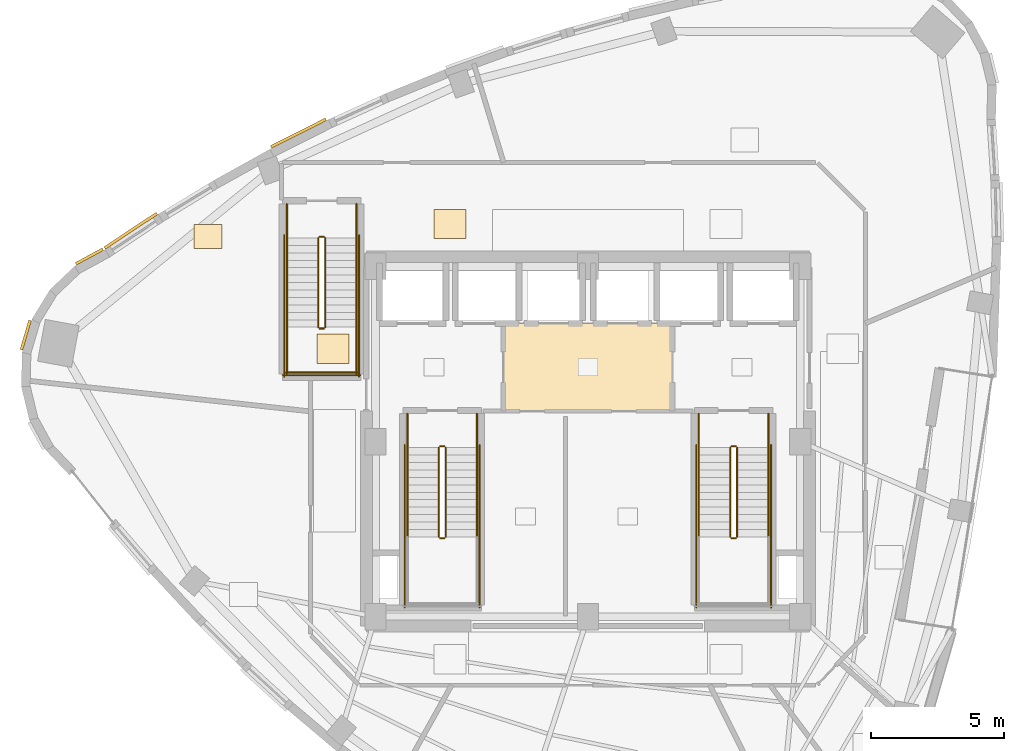
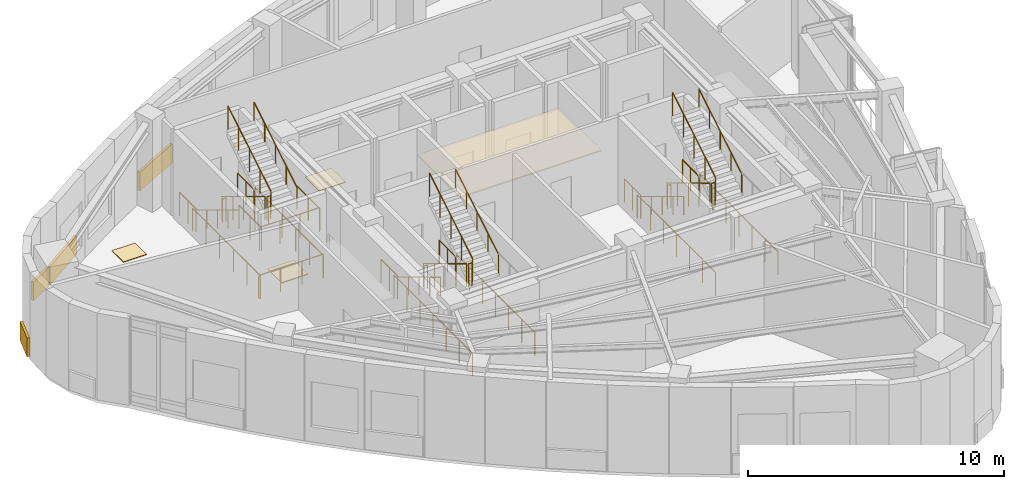
# One storey, part 13 of 14: 34 railings, 8 coverings.
"""IFC4 building model written with IfcOpenShell, lengths in metres."""

from ifc_helpers import new_model, si_unit, direction, frame, origin, origin_2d, place, context, subcontext, project, spatial, rectangle, circle, extrude, material, layer, layer_set, type_object, element, save


model = new_model("IFC4")

# Units and contexts
model_context = context("Model", 3, precision=1e-05, world=origin(), true_north=direction((0.0, 1.0)))
body_context = subcontext(model_context, "Body", "Model", "MODEL_VIEW")
ifc_project = project(units=[si_unit("LENGTHUNIT", "METRE"), si_unit("AREAUNIT", "SQUARE_METRE"), si_unit("VOLUMEUNIT", "CUBIC_METRE"), si_unit("PLANEANGLEUNIT", "RADIAN"), si_unit("MASSUNIT", "GRAM", prefix="KILO")], contexts=[model_context])

# Site, building, storey
site_placement = place(None, origin())
site = spatial("IfcSite", under=ifc_project, at=site_placement, CompositionType="ELEMENT")
building_placement = place(site_placement, origin())
building = spatial("IfcBuilding", under=site, at=building_placement, Name="Ndelora Gate Hotel", CompositionType="ELEMENT")
storey_placement = place(building_placement, frame((0.0, 0.0, 277.199951171875)))
storey = spatial("IfcBuildingStorey", under=building, at=storey_placement, Name="L69", CompositionType="ELEMENT", Elevation=277.199951171875)

# Coverings
ifc_material_1 = material(Name="Perforated Acoustic Gypsum Board", Category="gypsum")
ifc_layer_1 = layer(ifc_material_1, 0.054931640625)
ifc_layer_set_1 = layer_set([ifc_layer_1], Name="Perforated Acoustic Gypsum Board")
covering_type_1 = type_object("IfcCoveringType", Name="COV-CEIL-AC60", PredefinedType="CEILING", material=ifc_layer_set_1)
covering_1_placement = place(storey_placement, frame((0.0, 2.800048828125, 2.72265625), z_axis=(0.0, 0.0, 1.0), x_axis=(1.0, 0.0, 0.0)))
element("IfcCovering", 1, at=covering_1_placement, inside=storey, type_object=covering_type_1, Name="L69 Lift Lobby Acoustic Ceiling", PredefinedType="CEILING", context=body_context, shape_type="SweptSolid", body=[
    extrude(rectangle(XDim=6.39990234375, YDim=3.340087890625, at=origin_2d()), origin(), (0.0, 0.0, 1.0), 0.054931640625),
])
ifc_material_2 = material(Name="Terracotta Fired Clay Brick Slip Cladding", Category="masonry")
ifc_layer_2 = layer(ifc_material_2, 0.110107421875)
ifc_layer_set_2 = layer_set([ifc_layer_2], Name="Terracotta Fired Clay Brick Slip Cladding")
covering_type_2 = type_object("IfcCoveringType", Name="COV-CLAD-BRK", PredefinedType="CLADDING", material=ifc_layer_set_2)
for number, where, z_axis, x_axis, name in (
    (2, (-18.7822265625, 6.972900390625, 0.10009765625), (0.0, 0.0, 1.0), (0.878817112662, 0.47715876026, 0.0), "L69 Rounded-Corner Brick Cladding Band 1"),
    (3, (-21.1796875, 4.012451171875, 0.10009765625), (0.0, 0.0, 1.0), (0.284015344704, 0.958819734868, 0.0), "L69 Rounded-Corner Brick Cladding Band 4"),
):
    element("IfcCovering", number, at=place(storey_placement, frame(where, z_axis=z_axis, x_axis=x_axis)), inside=storey, type_object=covering_type_2, Name=name, PredefinedType="CLADDING", context=body_context, shape_type="SweptSolid", body=[
        extrude(rectangle(XDim=1.153076171875, YDim=0.110107421875, at=origin_2d()), origin(), (0.0, 0.0, 1.0), 0.89990234375),
    ])
covering_2_placement = place(storey_placement, frame((-10.9052734375, 11.62109375, 0.10009765625), z_axis=(0.0, 0.0, 1.0), x_axis=(0.892664497833, 0.450721748209, 0.0)))
element("IfcCovering", 4, at=covering_2_placement, inside=storey, type_object=covering_type_2, Name="L69 Rounded-Corner Brick Cladding Band 55", PredefinedType="CLADDING", context=body_context, shape_type="SweptSolid", body=[
    extrude(rectangle(XDim=2.31005859375, YDim=0.110107421875, at=origin_2d()), origin(), (0.0, 0.0, 1.0), 0.89990234375),
])
covering_3_placement = place(storey_placement, frame((-17.224853515625, 7.941162109375, 0.10009765625), z_axis=(0.0, 0.0, 1.0), x_axis=(0.833210881659, 0.552955356864, 0.0)))
element("IfcCovering", 5, at=covering_3_placement, inside=storey, type_object=covering_type_2, Name="L69 Rounded-Corner Brick Cladding Band 58", PredefinedType="CLADDING", context=body_context, shape_type="SweptSolid", body=[
    extrude(rectangle(XDim=2.35693359375, YDim=0.110107421875, at=origin_2d()), origin(), (0.0, 0.0, 1.0), 0.89990234375),
])
ifc_material_3 = material(Name="Engineered Highland Oak Parquet", Category="wood")
ifc_layer_3 = layer(ifc_material_3, 0.030029296875)
ifc_layer_set_3 = layer_set([ifc_layer_3], Name="Engineered Highland Oak Parquet")
covering_type_3 = type_object("IfcCoveringType", Name="COV-FLR-PARQ", PredefinedType="FLOORING", material=ifc_layer_set_3)
covering_4_placement = place(storey_placement, frame((-14.316162109375, 7.7255859375, 0.0), z_axis=(0.0, 0.0, 1.0), x_axis=(1.0, 0.0, 0.0)))
element("IfcCovering", 6, at=covering_4_placement, inside=storey, type_object=covering_type_3, Name="L69 Fine Wine Tasting Room Oak Parquet Flooring", PredefinedType="FLOORING", context=body_context, shape_type="SweptSolid", body=[
    extrude(rectangle(XDim=1.050048828125, YDim=0.89990234375, at=origin_2d()), origin(), (0.0, 0.0, 1.0), 0.030029296875),
])
ifc_material_4 = material(Name="Polished Highland Stone Terrazzo", Category="masonry")
ifc_layer_4 = layer(ifc_material_4, 0.034912109375)
ifc_layer_set_4 = layer_set([ifc_layer_4], Name="Polished Highland Stone Terrazzo")
covering_type_4 = type_object("IfcCoveringType", Name="COV-FLR-TERZ", PredefinedType="FLOORING", material=ifc_layer_set_4)
for number, where, z_axis, x_axis, name in (
    (7, (-5.199951171875, 8.199951171875, 0.0), (0.0, 0.0, 1.0), (1.0, 0.0, 0.0), "L69 Corridor Threshold Terrazzo Inlay NW"),
    (8, (-9.60009765625, 3.5, 0.0), (0.0, 0.0, 1.0), (1.0, 0.0, 0.0), "L69 Corridor Threshold Terrazzo Inlay W"),
):
    element("IfcCovering", number, at=place(storey_placement, frame(where, z_axis=z_axis, x_axis=x_axis)), inside=storey, type_object=covering_type_4, Name=name, PredefinedType="FLOORING", context=body_context, shape_type="SweptSolid", body=[
        extrude(rectangle(XDim=1.199951171875, YDim=1.10009765625, at=origin_2d()), origin(), (0.0, 0.0, 1.0), 0.034912109375),
    ])

# Railings
ifc_material_5 = material(Name="Painted Galvanized Steel Balustrade", Category="steel")
ifc_layer_5 = layer(ifc_material_5, 0.06005859375)
ifc_layer_set_5 = layer_set([ifc_layer_5], Name="Painted Galvanized Steel Balustrade")
railing_type_1 = type_object("IfcRailingType", Name="RL-STAIR-GD", PredefinedType="GUARDRAIL", material=ifc_layer_set_5)
railing_1_placement = place(storey_placement, frame((-5.6201171875, -0.22998046875, 0.169189453125)))
element("IfcRailing", 9, at=railing_1_placement, inside=storey, type_object=railing_type_1, Name="L69 ST4 stair guard 1", PredefinedType="GUARDRAIL", context=body_context, shape_type="SweptSolid", body=[
    extrude(circle(Radius=0.02392578125, at=origin_2d()), frame((0.0, 0.0, 1.10595703125), z_axis=(0.0, -0.855836976705, 0.517245656632), x_axis=(1.0, 0.0, 0.0)), (0.0, 0.0, 1.0), 3.926025390625),
    extrude(circle(Radius=0.02099609375, at=origin_2d()), origin(), (0.0, 0.0, 1.0), 1.081787109375),
    extrude(circle(Radius=0.02099609375, at=origin_2d()), frame((0.0, -0.840087890625, 0.5078125)), (0.0, 0.0, 1.0), 1.081787109375),
    extrude(circle(Radius=0.02099609375, at=origin_2d()), frame((0.0, -1.68017578125, 1.015380859375)), (0.0, 0.0, 1.0), 1.081787109375),
    extrude(circle(Radius=0.02099609375, at=origin_2d()), frame((0.0, -2.52001953125, 1.52294921875)), (0.0, 0.0, 1.0), 1.081787109375),
    extrude(circle(Radius=0.02099609375, at=origin_2d()), frame((0.0, -3.360107421875, 2.03076171875)), (0.0, 0.0, 1.0), 1.081787109375),
])
railing_2_placement = place(storey_placement, frame((-5.570068359375, -3.639892578125, 2.199951171875)))
element("IfcRailing", 10, at=railing_2_placement, inside=storey, type_object=railing_type_1, Name="L69 ST4 stair guard 2", PredefinedType="GUARDRAIL", context=body_context, shape_type="SweptSolid", body=[
    extrude(circle(Radius=0.02392578125, at=origin_2d()), frame((0.0, 0.0, 1.10595703125), z_axis=(1.0, 0.0, 0.0), x_axis=(0.0, 1.0, 0.0)), (0.0, 0.0, 1.0), 0.16015625),
    extrude(circle(Radius=0.02099609375, at=origin_2d()), origin(), (0.0, 0.0, 1.0), 1.081787109375),
    extrude(circle(Radius=0.02099609375, at=origin_2d()), frame((0.16015625, 0.0, 0.0)), (0.0, 0.0, 1.0), 1.081787109375),
])
railing_3_placement = place(storey_placement, frame((-5.360107421875, -3.590087890625, 2.369384765625)))
element("IfcRailing", 11, at=railing_3_placement, inside=storey, type_object=railing_type_1, Name="L69 ST4 stair guard 6", PredefinedType="GUARDRAIL", context=body_context, shape_type="SweptSolid", body=[
    extrude(circle(Radius=0.02392578125, at=origin_2d()), frame((0.0, 0.0, 1.10595703125), z_axis=(0.0, 0.855836976705, 0.517245656632), x_axis=(-1.0, 0.0, 0.0)), (0.0, 0.0, 1.0), 3.926025390625),
    extrude(circle(Radius=0.02099609375, at=origin_2d()), origin(), (0.0, 0.0, 1.0), 1.081787109375),
    extrude(circle(Radius=0.02099609375, at=origin_2d()), frame((0.0, 0.840087890625, 0.5078125)), (0.0, 0.0, 1.0), 1.081787109375),
    extrude(circle(Radius=0.02099609375, at=origin_2d()), frame((0.0, 1.68017578125, 1.015380859375)), (0.0, 0.0, 1.0), 1.081787109375),
    extrude(circle(Radius=0.02099609375, at=origin_2d()), frame((0.0, 2.52001953125, 1.52294921875)), (0.0, 0.0, 1.0), 1.081787109375),
    extrude(circle(Radius=0.02099609375, at=origin_2d()), frame((0.0, 3.360107421875, 2.03076171875)), (0.0, 0.0, 1.0), 1.081787109375),
])
railing_4_placement = place(storey_placement, frame((-5.570068359375, -0.179931640625, 0.0)))
element("IfcRailing", 12, at=railing_4_placement, inside=storey, type_object=railing_type_1, Name="L69 ST4 stair guard 7", PredefinedType="GUARDRAIL", context=body_context, shape_type="SweptSolid", body=[
    extrude(circle(Radius=0.02392578125, at=origin_2d()), frame((0.0, 0.0, 1.10595703125), z_axis=(1.0, 0.0, 0.0), x_axis=(0.0, 1.0, 0.0)), (0.0, 0.0, 1.0), 0.16015625),
    extrude(circle(Radius=0.02099609375, at=origin_2d()), origin(), (0.0, 0.0, 1.0), 1.081787109375),
    extrude(circle(Radius=0.02099609375, at=origin_2d()), frame((0.16015625, 0.0, 0.0)), (0.0, 0.0, 1.0), 1.081787109375),
])
for number, where, name in (
    (13, (-6.800048828125, 1.050048828125, 0.0), "L69 ST4 stair guard 8"),
    (14, (-4.179931640625, 1.050048828125, 0.0), "L69 ST4 stair guard 9"),
):
    element("IfcRailing", number, at=place(storey_placement, frame(where)), inside=storey, type_object=railing_type_1, Name=name, PredefinedType="GUARDRAIL", context=body_context, shape_type="SweptSolid", body=[
        extrude(circle(Radius=0.02392578125, at=origin_2d()), frame((0.0, 0.0, 1.10595703125), z_axis=(0.0, -1.0, 0.0), x_axis=(1.0, 0.0, 0.0)), (0.0, 0.0, 1.0), 1.280029296875),
        extrude(circle(Radius=0.02099609375, at=origin_2d()), origin(), (0.0, 0.0, 1.0), 1.081787109375),
        extrude(circle(Radius=0.02099609375, at=origin_2d()), frame((0.0, -0.64013671875, 0.0)), (0.0, 0.0, 1.0), 1.081787109375),
        extrude(circle(Radius=0.02099609375, at=origin_2d()), frame((0.0, -1.280029296875, 0.0)), (0.0, 0.0, 1.0), 1.081787109375),
    ])
for number, where, name in (
    (15, (-6.89990234375, -0.1298828125, 0.0), "L69 ST4 stair guard 10"),
    (16, (-4.080078125, -0.1298828125, 0.0), "L69 ST4 stair guard 11"),
):
    element("IfcRailing", number, at=place(storey_placement, frame(where)), inside=storey, type_object=railing_type_1, Name=name, PredefinedType="GUARDRAIL", context=body_context, shape_type="SweptSolid", body=[
        extrude(circle(Radius=0.02392578125, at=origin_2d()), frame((0.0, 0.0, 1.10595703125), z_axis=(0.0, -1.0, 0.0), x_axis=(1.0, 0.0, 0.0)), (0.0, 0.0, 1.0), 6.1201171875),
        extrude(circle(Radius=0.02099609375, at=origin_2d()), origin(), (0.0, 0.0, 1.0), 1.081787109375),
        extrude(circle(Radius=0.02099609375, at=origin_2d()), frame((0.0, -1.02001953125, 0.0)), (0.0, 0.0, 1.0), 1.081787109375),
        extrude(circle(Radius=0.02099609375, at=origin_2d()), frame((0.0, -2.0400390625, 0.0)), (0.0, 0.0, 1.0), 1.081787109375),
        extrude(circle(Radius=0.02099609375, at=origin_2d()), frame((0.0, -3.06005859375, 0.0)), (0.0, 0.0, 1.0), 1.081787109375),
        extrude(circle(Radius=0.02099609375, at=origin_2d()), frame((0.0, -4.080078125, 0.0)), (0.0, 0.0, 1.0), 1.081787109375),
        extrude(circle(Radius=0.02099609375, at=origin_2d()), frame((0.0, -5.10009765625, 0.0)), (0.0, 0.0, 1.0), 1.081787109375),
        extrude(circle(Radius=0.02099609375, at=origin_2d()), frame((0.0, -6.1201171875, 0.0)), (0.0, 0.0, 1.0), 1.081787109375),
    ])
railing_5_placement = place(storey_placement, frame((5.360107421875, -0.22998046875, 0.169189453125)))
element("IfcRailing", 17, at=railing_5_placement, inside=storey, type_object=railing_type_1, Name="L69 ST5 stair guard 1", PredefinedType="GUARDRAIL", context=body_context, shape_type="SweptSolid", body=[
    extrude(circle(Radius=0.02392578125, at=origin_2d()), frame((0.0, 0.0, 1.10595703125), z_axis=(0.0, -0.855836976705, 0.517245656632), x_axis=(1.0, 0.0, 0.0)), (0.0, 0.0, 1.0), 3.926025390625),
    extrude(circle(Radius=0.02099609375, at=origin_2d()), origin(), (0.0, 0.0, 1.0), 1.081787109375),
    extrude(circle(Radius=0.02099609375, at=origin_2d()), frame((0.0, -0.840087890625, 0.5078125)), (0.0, 0.0, 1.0), 1.081787109375),
    extrude(circle(Radius=0.02099609375, at=origin_2d()), frame((0.0, -1.68017578125, 1.015380859375)), (0.0, 0.0, 1.0), 1.081787109375),
    extrude(circle(Radius=0.02099609375, at=origin_2d()), frame((0.0, -2.52001953125, 1.52294921875)), (0.0, 0.0, 1.0), 1.081787109375),
    extrude(circle(Radius=0.02099609375, at=origin_2d()), frame((0.0, -3.360107421875, 2.03076171875)), (0.0, 0.0, 1.0), 1.081787109375),
])
railing_6_placement = place(storey_placement, frame((5.409912109375, -3.639892578125, 2.199951171875)))
element("IfcRailing", 18, at=railing_6_placement, inside=storey, type_object=railing_type_1, Name="L69 ST5 stair guard 2", PredefinedType="GUARDRAIL", context=body_context, shape_type="SweptSolid", body=[
    extrude(circle(Radius=0.02392578125, at=origin_2d()), frame((0.0, 0.0, 1.10595703125), z_axis=(1.0, 0.0, 0.0), x_axis=(0.0, 1.0, 0.0)), (0.0, 0.0, 1.0), 0.16015625),
    extrude(circle(Radius=0.02099609375, at=origin_2d()), origin(), (0.0, 0.0, 1.0), 1.081787109375),
    extrude(circle(Radius=0.02099609375, at=origin_2d()), frame((0.16015625, 0.0, 0.0)), (0.0, 0.0, 1.0), 1.081787109375),
])
railing_7_placement = place(storey_placement, frame((5.6201171875, -3.590087890625, 2.369384765625)))
element("IfcRailing", 19, at=railing_7_placement, inside=storey, type_object=railing_type_1, Name="L69 ST5 stair guard 6", PredefinedType="GUARDRAIL", context=body_context, shape_type="SweptSolid", body=[
    extrude(circle(Radius=0.02392578125, at=origin_2d()), frame((0.0, 0.0, 1.10595703125), z_axis=(0.0, 0.855836976705, 0.517245656632), x_axis=(-1.0, 0.0, 0.0)), (0.0, 0.0, 1.0), 3.926025390625),
    extrude(circle(Radius=0.02099609375, at=origin_2d()), origin(), (0.0, 0.0, 1.0), 1.081787109375),
    extrude(circle(Radius=0.02099609375, at=origin_2d()), frame((0.0, 0.840087890625, 0.5078125)), (0.0, 0.0, 1.0), 1.081787109375),
    extrude(circle(Radius=0.02099609375, at=origin_2d()), frame((0.0, 1.68017578125, 1.015380859375)), (0.0, 0.0, 1.0), 1.081787109375),
    extrude(circle(Radius=0.02099609375, at=origin_2d()), frame((0.0, 2.52001953125, 1.52294921875)), (0.0, 0.0, 1.0), 1.081787109375),
    extrude(circle(Radius=0.02099609375, at=origin_2d()), frame((0.0, 3.360107421875, 2.03076171875)), (0.0, 0.0, 1.0), 1.081787109375),
])
railing_8_placement = place(storey_placement, frame((5.409912109375, -0.179931640625, 0.0)))
element("IfcRailing", 20, at=railing_8_placement, inside=storey, type_object=railing_type_1, Name="L69 ST5 stair guard 7", PredefinedType="GUARDRAIL", context=body_context, shape_type="SweptSolid", body=[
    extrude(circle(Radius=0.02392578125, at=origin_2d()), frame((0.0, 0.0, 1.10595703125), z_axis=(1.0, 0.0, 0.0), x_axis=(0.0, 1.0, 0.0)), (0.0, 0.0, 1.0), 0.16015625),
    extrude(circle(Radius=0.02099609375, at=origin_2d()), origin(), (0.0, 0.0, 1.0), 1.081787109375),
    extrude(circle(Radius=0.02099609375, at=origin_2d()), frame((0.16015625, 0.0, 0.0)), (0.0, 0.0, 1.0), 1.081787109375),
])
for number, where, name in (
    (21, (4.179931640625, 1.050048828125, 0.0), "L69 ST5 stair guard 8"),
    (22, (6.800048828125, 1.050048828125, 0.0), "L69 ST5 stair guard 9"),
):
    element("IfcRailing", number, at=place(storey_placement, frame(where)), inside=storey, type_object=railing_type_1, Name=name, PredefinedType="GUARDRAIL", context=body_context, shape_type="SweptSolid", body=[
        extrude(circle(Radius=0.02392578125, at=origin_2d()), frame((0.0, 0.0, 1.10595703125), z_axis=(0.0, -1.0, 0.0), x_axis=(1.0, 0.0, 0.0)), (0.0, 0.0, 1.0), 1.280029296875),
        extrude(circle(Radius=0.02099609375, at=origin_2d()), origin(), (0.0, 0.0, 1.0), 1.081787109375),
        extrude(circle(Radius=0.02099609375, at=origin_2d()), frame((0.0, -0.64013671875, 0.0)), (0.0, 0.0, 1.0), 1.081787109375),
        extrude(circle(Radius=0.02099609375, at=origin_2d()), frame((0.0, -1.280029296875, 0.0)), (0.0, 0.0, 1.0), 1.081787109375),
    ])
for number, where, name in (
    (23, (4.080078125, -0.1298828125, 0.0), "L69 ST5 stair guard 10"),
    (24, (6.89990234375, -0.1298828125, 0.0), "L69 ST5 stair guard 11"),
):
    element("IfcRailing", number, at=place(storey_placement, frame(where)), inside=storey, type_object=railing_type_1, Name=name, PredefinedType="GUARDRAIL", context=body_context, shape_type="SweptSolid", body=[
        extrude(circle(Radius=0.02392578125, at=origin_2d()), frame((0.0, 0.0, 1.10595703125), z_axis=(0.0, -1.0, 0.0), x_axis=(1.0, 0.0, 0.0)), (0.0, 0.0, 1.0), 6.1201171875),
        extrude(circle(Radius=0.02099609375, at=origin_2d()), origin(), (0.0, 0.0, 1.0), 1.081787109375),
        extrude(circle(Radius=0.02099609375, at=origin_2d()), frame((0.0, -1.02001953125, 0.0)), (0.0, 0.0, 1.0), 1.081787109375),
        extrude(circle(Radius=0.02099609375, at=origin_2d()), frame((0.0, -2.0400390625, 0.0)), (0.0, 0.0, 1.0), 1.081787109375),
        extrude(circle(Radius=0.02099609375, at=origin_2d()), frame((0.0, -3.06005859375, 0.0)), (0.0, 0.0, 1.0), 1.081787109375),
        extrude(circle(Radius=0.02099609375, at=origin_2d()), frame((0.0, -4.080078125, 0.0)), (0.0, 0.0, 1.0), 1.081787109375),
        extrude(circle(Radius=0.02099609375, at=origin_2d()), frame((0.0, -5.10009765625, 0.0)), (0.0, 0.0, 1.0), 1.081787109375),
        extrude(circle(Radius=0.02099609375, at=origin_2d()), frame((0.0, -6.1201171875, 0.0)), (0.0, 0.0, 1.0), 1.081787109375),
    ])
railing_9_placement = place(storey_placement, frame((-10.159912109375, 7.669921875, 0.169189453125)))
element("IfcRailing", 25, at=railing_9_placement, inside=storey, type_object=railing_type_1, Name="L69 ST6 stair guard 1", PredefinedType="GUARDRAIL", context=body_context, shape_type="SweptSolid", body=[
    extrude(circle(Radius=0.02392578125, at=origin_2d()), frame((0.0, 0.0, 1.10595703125), z_axis=(0.0, -0.855820338506, 0.51727318527), x_axis=(1.0, 0.0, 0.0)), (0.0, 0.0, 1.0), 3.92578125),
    extrude(circle(Radius=0.02099609375, at=origin_2d()), origin(), (0.0, 0.0, 1.0), 1.081787109375),
    extrude(circle(Radius=0.02099609375, at=origin_2d()), frame((0.0, -0.83984375, 0.5078125)), (0.0, 0.0, 1.0), 1.081787109375),
    extrude(circle(Radius=0.02099609375, at=origin_2d()), frame((0.0, -1.679931640625, 1.015380859375)), (0.0, 0.0, 1.0), 1.081787109375),
    extrude(circle(Radius=0.02099609375, at=origin_2d()), frame((0.0, -2.52001953125, 1.52294921875)), (0.0, 0.0, 1.0), 1.081787109375),
    extrude(circle(Radius=0.02099609375, at=origin_2d()), frame((0.0, -3.35986328125, 2.03076171875)), (0.0, 0.0, 1.0), 1.081787109375),
])
railing_10_placement = place(storey_placement, frame((-10.110107421875, 4.260009765625, 2.199951171875)))
element("IfcRailing", 26, at=railing_10_placement, inside=storey, type_object=railing_type_1, Name="L69 ST6 stair guard 2", PredefinedType="GUARDRAIL", context=body_context, shape_type="SweptSolid", body=[
    extrude(circle(Radius=0.02392578125, at=origin_2d()), frame((0.0, 0.0, 1.10595703125), z_axis=(1.0, 0.0, 0.0), x_axis=(0.0, 1.0, 0.0)), (0.0, 0.0, 1.0), 0.16015625),
    extrude(circle(Radius=0.02099609375, at=origin_2d()), origin(), (0.0, 0.0, 1.0), 1.081787109375),
    extrude(circle(Radius=0.02099609375, at=origin_2d()), frame((0.16015625, 0.0, 0.0)), (0.0, 0.0, 1.0), 1.081787109375),
])
for number, where, name in (
    (27, (-11.340087890625, 4.31005859375, 2.199951171875), "L69 ST6 stair guard 3"),
    (28, (-8.719970703125, 4.31005859375, 2.199951171875), "L69 ST6 stair guard 4"),
):
    element("IfcRailing", number, at=place(storey_placement, frame(where)), inside=storey, type_object=railing_type_1, Name=name, PredefinedType="GUARDRAIL", context=body_context, shape_type="SweptSolid", body=[
        extrude(circle(Radius=0.02392578125, at=origin_2d()), frame((0.0, 0.0, 1.10595703125), z_axis=(0.0, -1.0, 0.0), x_axis=(1.0, 0.0, 0.0)), (0.0, 0.0, 1.0), 1.760009765625),
        extrude(circle(Radius=0.02099609375, at=origin_2d()), origin(), (0.0, 0.0, 1.0), 1.081787109375),
        extrude(circle(Radius=0.02099609375, at=origin_2d()), frame((0.0, -0.8798828125, 0.0)), (0.0, 0.0, 1.0), 1.081787109375),
        extrude(circle(Radius=0.02099609375, at=origin_2d()), frame((0.0, -1.760009765625, 0.0)), (0.0, 0.0, 1.0), 1.081787109375),
    ])
railing_11_placement = place(storey_placement, frame((-11.389892578125, 2.60009765625, 2.199951171875)))
element("IfcRailing", 29, at=railing_11_placement, inside=storey, type_object=railing_type_1, Name="L69 ST6 stair guard 5", PredefinedType="GUARDRAIL", context=body_context, shape_type="SweptSolid", body=[
    extrude(circle(Radius=0.02392578125, at=origin_2d()), frame((0.0, 0.0, 1.10595703125), z_axis=(1.0, 0.0, 0.0), x_axis=(0.0, 1.0, 0.0)), (0.0, 0.0, 1.0), 2.719970703125),
    extrude(circle(Radius=0.02099609375, at=origin_2d()), origin(), (0.0, 0.0, 1.0), 1.081787109375),
    extrude(circle(Radius=0.02099609375, at=origin_2d()), frame((0.90673828125, 0.0, 0.0)), (0.0, 0.0, 1.0), 1.081787109375),
    extrude(circle(Radius=0.02099609375, at=origin_2d()), frame((1.813232421875, 0.0, 0.0)), (0.0, 0.0, 1.0), 1.081787109375),
    extrude(circle(Radius=0.02099609375, at=origin_2d()), frame((2.719970703125, 0.0, 0.0)), (0.0, 0.0, 1.0), 1.081787109375),
])
railing_12_placement = place(storey_placement, frame((-9.89990234375, 4.31005859375, 2.369384765625)))
element("IfcRailing", 30, at=railing_12_placement, inside=storey, type_object=railing_type_1, Name="L69 ST6 stair guard 6", PredefinedType="GUARDRAIL", context=body_context, shape_type="SweptSolid", body=[
    extrude(circle(Radius=0.02392578125, at=origin_2d()), frame((0.0, 0.0, 1.10595703125), z_axis=(0.0, 0.855820338506, 0.51727318527), x_axis=(-1.0, 0.0, 0.0)), (0.0, 0.0, 1.0), 3.92578125),
    extrude(circle(Radius=0.02099609375, at=origin_2d()), origin(), (0.0, 0.0, 1.0), 1.081787109375),
    extrude(circle(Radius=0.02099609375, at=origin_2d()), frame((0.0, 0.83984375, 0.5078125)), (0.0, 0.0, 1.0), 1.081787109375),
    extrude(circle(Radius=0.02099609375, at=origin_2d()), frame((0.0, 1.679931640625, 1.015380859375)), (0.0, 0.0, 1.0), 1.081787109375),
    extrude(circle(Radius=0.02099609375, at=origin_2d()), frame((0.0, 2.52001953125, 1.52294921875)), (0.0, 0.0, 1.0), 1.081787109375),
    extrude(circle(Radius=0.02099609375, at=origin_2d()), frame((0.0, 3.35986328125, 2.03076171875)), (0.0, 0.0, 1.0), 1.081787109375),
])
railing_13_placement = place(storey_placement, frame((-10.110107421875, 7.719970703125, 0.0)))
element("IfcRailing", 31, at=railing_13_placement, inside=storey, type_object=railing_type_1, Name="L69 ST6 stair guard 7", PredefinedType="GUARDRAIL", context=body_context, shape_type="SweptSolid", body=[
    extrude(circle(Radius=0.02392578125, at=origin_2d()), frame((0.0, 0.0, 1.10595703125), z_axis=(1.0, 0.0, 0.0), x_axis=(0.0, 1.0, 0.0)), (0.0, 0.0, 1.0), 0.16015625),
    extrude(circle(Radius=0.02099609375, at=origin_2d()), origin(), (0.0, 0.0, 1.0), 1.081787109375),
    extrude(circle(Radius=0.02099609375, at=origin_2d()), frame((0.16015625, 0.0, 0.0)), (0.0, 0.0, 1.0), 1.081787109375),
])
for number, where, name in (
    (32, (-11.340087890625, 8.949951171875, 0.0), "L69 ST6 stair guard 8"),
    (33, (-8.719970703125, 8.949951171875, 0.0), "L69 ST6 stair guard 9"),
):
    element("IfcRailing", number, at=place(storey_placement, frame(where)), inside=storey, type_object=railing_type_1, Name=name, PredefinedType="GUARDRAIL", context=body_context, shape_type="SweptSolid", body=[
        extrude(circle(Radius=0.02392578125, at=origin_2d()), frame((0.0, 0.0, 1.10595703125), z_axis=(0.0, -1.0, 0.0), x_axis=(1.0, 0.0, 0.0)), (0.0, 0.0, 1.0), 1.280029296875),
        extrude(circle(Radius=0.02099609375, at=origin_2d()), origin(), (0.0, 0.0, 1.0), 1.081787109375),
        extrude(circle(Radius=0.02099609375, at=origin_2d()), frame((0.0, -0.64013671875, 0.0)), (0.0, 0.0, 1.0), 1.081787109375),
        extrude(circle(Radius=0.02099609375, at=origin_2d()), frame((0.0, -1.280029296875, 0.0)), (0.0, 0.0, 1.0), 1.081787109375),
    ])
for number, where, name in (
    (34, (-11.43994140625, 7.77001953125, 0.0), "L69 ST6 stair guard 10"),
    (35, (-8.6201171875, 7.77001953125, 0.0), "L69 ST6 stair guard 11"),
):
    element("IfcRailing", number, at=place(storey_placement, frame(where)), inside=storey, type_object=railing_type_1, Name=name, PredefinedType="GUARDRAIL", context=body_context, shape_type="SweptSolid", body=[
        extrude(circle(Radius=0.02392578125, at=origin_2d()), frame((0.0, 0.0, 1.10595703125), z_axis=(0.0, -1.0, 0.0), x_axis=(1.0, 0.0, 0.0)), (0.0, 0.0, 1.0), 5.320068359375),
        extrude(circle(Radius=0.02099609375, at=origin_2d()), origin(), (0.0, 0.0, 1.0), 1.081787109375),
        extrude(circle(Radius=0.02099609375, at=origin_2d()), frame((0.0, -1.06396484375, 0.0)), (0.0, 0.0, 1.0), 1.081787109375),
        extrude(circle(Radius=0.02099609375, at=origin_2d()), frame((0.0, -2.1279296875, 0.0)), (0.0, 0.0, 1.0), 1.081787109375),
        extrude(circle(Radius=0.02099609375, at=origin_2d()), frame((0.0, -3.192138671875, 0.0)), (0.0, 0.0, 1.0), 1.081787109375),
        extrude(circle(Radius=0.02099609375, at=origin_2d()), frame((0.0, -4.256103515625, 0.0)), (0.0, 0.0, 1.0), 1.081787109375),
        extrude(circle(Radius=0.02099609375, at=origin_2d()), frame((0.0, -5.320068359375, 0.0)), (0.0, 0.0, 1.0), 1.081787109375),
    ])
railing_14_placement = place(storey_placement, frame((-11.489990234375, 2.5, 0.0)))
element("IfcRailing", 36, at=railing_14_placement, inside=storey, type_object=railing_type_1, Name="L69 ST6 stair guard 12", PredefinedType="GUARDRAIL", context=body_context, shape_type="SweptSolid", body=[
    extrude(circle(Radius=0.02392578125, at=origin_2d()), frame((0.0, 0.0, 1.10595703125), z_axis=(1.0, 0.0, 0.0), x_axis=(0.0, 1.0, 0.0)), (0.0, 0.0, 1.0), 2.919921875),
    extrude(circle(Radius=0.02099609375, at=origin_2d()), origin(), (0.0, 0.0, 1.0), 1.081787109375),
    extrude(circle(Radius=0.02099609375, at=origin_2d()), frame((0.973388671875, 0.0, 0.0)), (0.0, 0.0, 1.0), 1.081787109375),
    extrude(circle(Radius=0.02099609375, at=origin_2d()), frame((1.946533203125, 0.0, 0.0)), (0.0, 0.0, 1.0), 1.081787109375),
    extrude(circle(Radius=0.02099609375, at=origin_2d()), frame((2.919921875, 0.0, 0.0)), (0.0, 0.0, 1.0), 1.081787109375),
])
ifc_material_6 = material(Name="Brushed Stainless Steel 316", Category="steel")
ifc_layer_6 = layer(ifc_material_6, 0.050048828125)
ifc_layer_set_6 = layer_set([ifc_layer_6], Name="Brushed Stainless Steel 316")
railing_type_2 = type_object("IfcRailingType", Name="RL-STAIR-HR", PredefinedType="HANDRAIL", material=ifc_layer_set_6)
railing_15_placement = place(storey_placement, frame((-6.800048828125, -0.22998046875, 0.169189453125)))
element("IfcRailing", 37, at=railing_15_placement, inside=storey, type_object=railing_type_2, Name="L69 ST4 stair handrail 1", PredefinedType="HANDRAIL", context=body_context, shape_type="SweptSolid", body=[
    extrude(circle(Radius=0.02392578125, at=origin_2d()), frame((0.0, 0.0, 0.8759765625), z_axis=(0.0, -0.855836976705, 0.517245656632), x_axis=(1.0, 0.0, 0.0)), (0.0, 0.0, 1.0), 3.926025390625),
    extrude(circle(Radius=0.02099609375, at=origin_2d()), origin(), (0.0, 0.0, 1.0), 0.851806640625),
    extrude(circle(Radius=0.02099609375, at=origin_2d()), frame((0.0, -0.840087890625, 0.5078125)), (0.0, 0.0, 1.0), 0.851806640625),
    extrude(circle(Radius=0.02099609375, at=origin_2d()), frame((0.0, -1.68017578125, 1.015380859375)), (0.0, 0.0, 1.0), 0.851806640625),
    extrude(circle(Radius=0.02099609375, at=origin_2d()), frame((0.0, -2.52001953125, 1.52294921875)), (0.0, 0.0, 1.0), 0.851806640625),
    extrude(circle(Radius=0.02099609375, at=origin_2d()), frame((0.0, -3.360107421875, 2.03076171875)), (0.0, 0.0, 1.0), 0.851806640625),
])
railing_16_placement = place(storey_placement, frame((-4.179931640625, -3.590087890625, 2.369384765625)))
element("IfcRailing", 38, at=railing_16_placement, inside=storey, type_object=railing_type_2, Name="L69 ST4 stair handrail 2", PredefinedType="HANDRAIL", context=body_context, shape_type="SweptSolid", body=[
    extrude(circle(Radius=0.02392578125, at=origin_2d()), frame((0.0, 0.0, 0.8759765625), z_axis=(0.0, 0.855836976705, 0.517245656632), x_axis=(-1.0, 0.0, 0.0)), (0.0, 0.0, 1.0), 3.926025390625),
    extrude(circle(Radius=0.02099609375, at=origin_2d()), origin(), (0.0, 0.0, 1.0), 0.851806640625),
    extrude(circle(Radius=0.02099609375, at=origin_2d()), frame((0.0, 0.840087890625, 0.5078125)), (0.0, 0.0, 1.0), 0.851806640625),
    extrude(circle(Radius=0.02099609375, at=origin_2d()), frame((0.0, 1.68017578125, 1.015380859375)), (0.0, 0.0, 1.0), 0.851806640625),
    extrude(circle(Radius=0.02099609375, at=origin_2d()), frame((0.0, 2.52001953125, 1.52294921875)), (0.0, 0.0, 1.0), 0.851806640625),
    extrude(circle(Radius=0.02099609375, at=origin_2d()), frame((0.0, 3.360107421875, 2.03076171875)), (0.0, 0.0, 1.0), 0.851806640625),
])
railing_17_placement = place(storey_placement, frame((4.179931640625, -0.22998046875, 0.169189453125)))
element("IfcRailing", 39, at=railing_17_placement, inside=storey, type_object=railing_type_2, Name="L69 ST5 stair handrail 1", PredefinedType="HANDRAIL", context=body_context, shape_type="SweptSolid", body=[
    extrude(circle(Radius=0.02392578125, at=origin_2d()), frame((0.0, 0.0, 0.8759765625), z_axis=(0.0, -0.855836976705, 0.517245656632), x_axis=(1.0, 0.0, 0.0)), (0.0, 0.0, 1.0), 3.926025390625),
    extrude(circle(Radius=0.02099609375, at=origin_2d()), origin(), (0.0, 0.0, 1.0), 0.851806640625),
    extrude(circle(Radius=0.02099609375, at=origin_2d()), frame((0.0, -0.840087890625, 0.5078125)), (0.0, 0.0, 1.0), 0.851806640625),
    extrude(circle(Radius=0.02099609375, at=origin_2d()), frame((0.0, -1.68017578125, 1.015380859375)), (0.0, 0.0, 1.0), 0.851806640625),
    extrude(circle(Radius=0.02099609375, at=origin_2d()), frame((0.0, -2.52001953125, 1.52294921875)), (0.0, 0.0, 1.0), 0.851806640625),
    extrude(circle(Radius=0.02099609375, at=origin_2d()), frame((0.0, -3.360107421875, 2.03076171875)), (0.0, 0.0, 1.0), 0.851806640625),
])
railing_18_placement = place(storey_placement, frame((6.800048828125, -3.590087890625, 2.369384765625)))
element("IfcRailing", 40, at=railing_18_placement, inside=storey, type_object=railing_type_2, Name="L69 ST5 stair handrail 2", PredefinedType="HANDRAIL", context=body_context, shape_type="SweptSolid", body=[
    extrude(circle(Radius=0.02392578125, at=origin_2d()), frame((0.0, 0.0, 0.8759765625), z_axis=(0.0, 0.855836976705, 0.517245656632), x_axis=(-1.0, 0.0, 0.0)), (0.0, 0.0, 1.0), 3.926025390625),
    extrude(circle(Radius=0.02099609375, at=origin_2d()), origin(), (0.0, 0.0, 1.0), 0.851806640625),
    extrude(circle(Radius=0.02099609375, at=origin_2d()), frame((0.0, 0.840087890625, 0.5078125)), (0.0, 0.0, 1.0), 0.851806640625),
    extrude(circle(Radius=0.02099609375, at=origin_2d()), frame((0.0, 1.68017578125, 1.015380859375)), (0.0, 0.0, 1.0), 0.851806640625),
    extrude(circle(Radius=0.02099609375, at=origin_2d()), frame((0.0, 2.52001953125, 1.52294921875)), (0.0, 0.0, 1.0), 0.851806640625),
    extrude(circle(Radius=0.02099609375, at=origin_2d()), frame((0.0, 3.360107421875, 2.03076171875)), (0.0, 0.0, 1.0), 0.851806640625),
])
railing_19_placement = place(storey_placement, frame((-11.340087890625, 7.669921875, 0.169189453125)))
element("IfcRailing", 41, at=railing_19_placement, inside=storey, type_object=railing_type_2, Name="L69 ST6 stair handrail 1", PredefinedType="HANDRAIL", context=body_context, shape_type="SweptSolid", body=[
    extrude(circle(Radius=0.02392578125, at=origin_2d()), frame((0.0, 0.0, 0.8759765625), z_axis=(0.0, -0.855820338506, 0.51727318527), x_axis=(1.0, 0.0, 0.0)), (0.0, 0.0, 1.0), 3.92578125),
    extrude(circle(Radius=0.02099609375, at=origin_2d()), origin(), (0.0, 0.0, 1.0), 0.851806640625),
    extrude(circle(Radius=0.02099609375, at=origin_2d()), frame((0.0, -0.83984375, 0.5078125)), (0.0, 0.0, 1.0), 0.851806640625),
    extrude(circle(Radius=0.02099609375, at=origin_2d()), frame((0.0, -1.679931640625, 1.015380859375)), (0.0, 0.0, 1.0), 0.851806640625),
    extrude(circle(Radius=0.02099609375, at=origin_2d()), frame((0.0, -2.52001953125, 1.52294921875)), (0.0, 0.0, 1.0), 0.851806640625),
    extrude(circle(Radius=0.02099609375, at=origin_2d()), frame((0.0, -3.35986328125, 2.03076171875)), (0.0, 0.0, 1.0), 0.851806640625),
])
railing_20_placement = place(storey_placement, frame((-8.719970703125, 4.31005859375, 2.369384765625)))
element("IfcRailing", 42, at=railing_20_placement, inside=storey, type_object=railing_type_2, Name="L69 ST6 stair handrail 2", PredefinedType="HANDRAIL", context=body_context, shape_type="SweptSolid", body=[
    extrude(circle(Radius=0.02392578125, at=origin_2d()), frame((0.0, 0.0, 0.8759765625), z_axis=(0.0, 0.855820338506, 0.51727318527), x_axis=(-1.0, 0.0, 0.0)), (0.0, 0.0, 1.0), 3.92578125),
    extrude(circle(Radius=0.02099609375, at=origin_2d()), origin(), (0.0, 0.0, 1.0), 0.851806640625),
    extrude(circle(Radius=0.02099609375, at=origin_2d()), frame((0.0, 0.83984375, 0.5078125)), (0.0, 0.0, 1.0), 0.851806640625),
    extrude(circle(Radius=0.02099609375, at=origin_2d()), frame((0.0, 1.679931640625, 1.015380859375)), (0.0, 0.0, 1.0), 0.851806640625),
    extrude(circle(Radius=0.02099609375, at=origin_2d()), frame((0.0, 2.52001953125, 1.52294921875)), (0.0, 0.0, 1.0), 0.851806640625),
    extrude(circle(Radius=0.02099609375, at=origin_2d()), frame((0.0, 3.35986328125, 2.03076171875)), (0.0, 0.0, 1.0), 0.851806640625),
])

save(model, "model.ifc")
